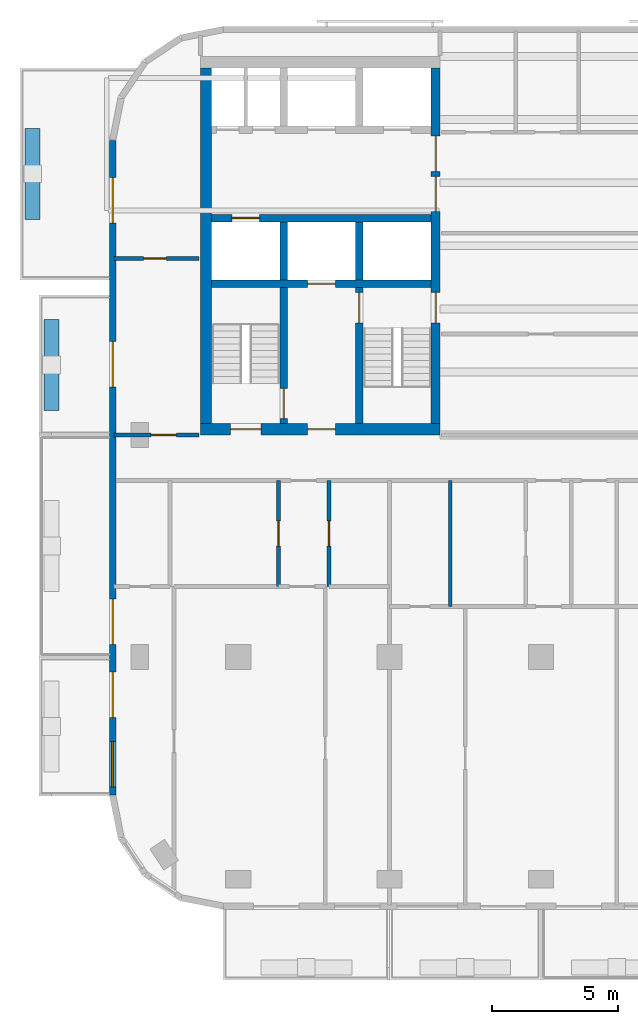
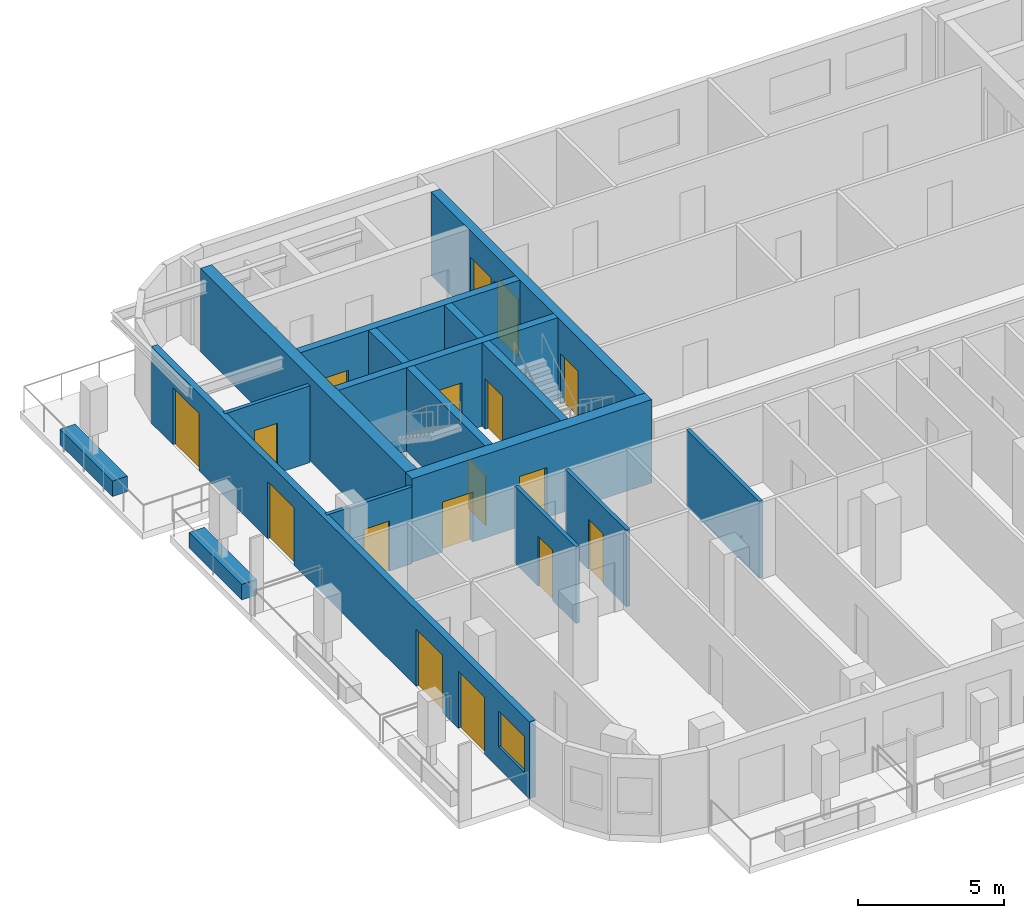
# One storey, part 3 of 11: 17 doors, 17 walls, 1 window, 18 openings.
"""IFC4 building model written with IfcOpenShell, lengths in metres."""

from ifc_helpers import new_model, si_unit, direction, frame, frame_2d, origin, place, context, subcontext, project, spatial, rectangle, extrude, material, layer, layer_set, type_object, element, fill, save


model = new_model("IFC4")

# Units and contexts
model_context = context("Model", 3, precision=1e-05, world=origin(), true_north=direction((0.0, 1.0)))
body_context = subcontext(model_context, "Body", "Model", "MODEL_VIEW")
ifc_project = project(units=[si_unit("LENGTHUNIT", "METRE"), si_unit("AREAUNIT", "SQUARE_METRE"), si_unit("VOLUMEUNIT", "CUBIC_METRE"), si_unit("PLANEANGLEUNIT", "RADIAN"), si_unit("MASSUNIT", "GRAM", prefix="KILO")], contexts=[model_context])

# Site, building, storey
site_placement = place(None, origin())
site = spatial("IfcSite", under=ifc_project, at=site_placement, CompositionType="ELEMENT")
building_placement = place(site_placement, origin())
building = spatial("IfcBuilding", under=site, at=building_placement, Name="Torana Hotel and Residences", CompositionType="ELEMENT")
storey_placement = place(building_placement, frame((0.0, 0.0, 291.10009765625)))
storey = spatial("IfcBuildingStorey", under=building, at=storey_placement, Name="L77", CompositionType="ELEMENT", Elevation=291.10009765625)

# Wall, opening, door
ifc_material_1 = material(Name="Concrete C60/75", Category="concrete")
ifc_layer_1 = layer(ifc_material_1, 0.300048828125)
ifc_layer_set_1 = layer_set([ifc_layer_1], Name="CORE WALL 300 C60/75")
wall_type_1 = type_object("IfcWallType", Name="CORE WALL 300 C60/75", PredefinedType="SHEAR", material=ifc_layer_set_1)
wall_1_placement = place(storey_placement, frame((-19.050048828125, -6.39990234375, 0.0), z_axis=(0.0, 0.0, 1.0), x_axis=(1.0, 0.0, 0.0)))
wall_1 = element("IfcWall", 1, at=wall_1_placement, inside=storey, type_object=wall_type_1, Name="Core wall W row-S", PredefinedType="SHEAR", context=body_context, shape_type="SweptSolid", body=[
    extrude(rectangle(XDim=8.699951171875, YDim=0.300048828125, at=frame_2d((4.35009765625, 0.0))), origin(), (0.0, 0.0, 1.0), 3.5),
])
opening_1_placement = place(wall_1_placement, frame((0.800048828125, 0.0, 0.0)))
opening_1 = element("IfcOpeningElement", 2, at=opening_1_placement, cuts=wall_1, Name="Opening LD", PredefinedType="OPENING", context=body_context, shape_type="SweptSolid", body=[
    extrude(rectangle(XDim=1.10009765625, YDim=2.10009765625, at=frame_2d((0.550048828125, 1.050048828125))), frame((0.0, 0.159912109375, 0.0), z_axis=(0.0, -1.0, 0.0), x_axis=(1.0, 0.0, 0.0)), (0.0, 0.0, 1.0), 0.320068359375),
])
ifc_material_2 = material(Name="Stainless steel 316", Category="steel")
door_type_1 = type_object("IfcDoorType", Name="LIFT LANDING DOOR LD 1100x2100", OperationType="DOUBLE_DOOR_SLIDING", PredefinedType="USERDEFINED", material=ifc_material_2)
door_1_placement = place(opening_1_placement, origin())
door_1 = element("IfcDoor", 3, at=door_1_placement, inside=storey, type_object=door_type_1, Name="Lift landing door SV1 L77", ObjectType="LIFT LANDING DOOR", OperationType="DOUBLE_DOOR_SLIDING", OverallHeight=2.10009765625, OverallWidth=1.10009765625, PredefinedType="USERDEFINED", context=body_context, shape_type="SweptSolid", body=[
    extrude(rectangle(XDim=1.10009765625, YDim=2.10009765625, at=frame_2d((0.550048828125, 1.050048828125))), frame((0.0, 0.02490234375, 0.0), z_axis=(0.0, -1.0, 0.0), x_axis=(1.0, 0.0, 0.0)), (0.0, 0.0, 1.0), 0.050048828125),
])
fill(opening_1, door_1)

wall_2_placement = place(storey_placement, frame((-19.050048828125, -9.0, 0.0), z_axis=(0.0, 0.0, 1.0), x_axis=(1.0, 0.0, 0.0)))
wall_2 = element("IfcWall", 4, at=wall_2_placement, inside=storey, type_object=wall_type_1, Name="Core wall W band", PredefinedType="SHEAR", context=body_context, shape_type="SweptSolid", body=[
    extrude(rectangle(XDim=8.699951171875, YDim=0.300048828125, at=frame_2d((4.35009765625, 0.0))), origin(), (0.0, 0.0, 1.0), 3.5),
])
opening_2_placement = place(wall_2_placement, frame((3.800048828125, 0.0, 0.0)))
opening_2 = element("IfcOpeningElement", 5, at=opening_2_placement, cuts=wall_2, Name="Opening LD", PredefinedType="OPENING", context=body_context, shape_type="SweptSolid", body=[
    extrude(rectangle(XDim=1.10009765625, YDim=2.10009765625, at=frame_2d((0.550048828125, 1.050048828125))), frame((0.0, 0.159912109375, 0.0), z_axis=(0.0, -1.0, 0.0), x_axis=(1.0, 0.0, 0.0)), (0.0, 0.0, 1.0), 0.320068359375),
])
door_2_placement = place(opening_2_placement, origin())
door_2 = element("IfcDoor", 6, at=door_2_placement, inside=storey, type_object=door_type_1, Name="Lift landing door FF1 L77", ObjectType="LIFT LANDING DOOR", OperationType="DOUBLE_DOOR_SLIDING", OverallHeight=2.10009765625, OverallWidth=1.10009765625, PredefinedType="USERDEFINED", context=body_context, shape_type="SweptSolid", body=[
    extrude(rectangle(XDim=1.10009765625, YDim=2.10009765625, at=frame_2d((0.550048828125, 1.050048828125))), frame((0.0, 0.02490234375, 0.0), z_axis=(0.0, -1.0, 0.0), x_axis=(1.0, 0.0, 0.0)), (0.0, 0.0, 1.0), 0.050048828125),
])
fill(opening_2, door_2)

# Wall
wall_3_placement = place(storey_placement, frame((-13.199951171875, -8.85009765625, 0.0), z_axis=(0.0, 0.0, 1.0), x_axis=(0.0, 1.0, 0.0)))
element("IfcWall", 7, at=wall_3_placement, inside=storey, type_object=wall_type_1, Name="Core wall W x3.05-S", PredefinedType="SHEAR", context=body_context, shape_type="SweptSolid", body=[
    extrude(rectangle(XDim=2.300048828125, YDim=0.300048828125, at=frame_2d((1.14990234375, 0.0))), origin(), (0.0, 0.0, 1.0), 3.5),
])

# Wall, opening, door
wall_4_placement = place(storey_placement, frame((-13.199951171875, -14.550048828125, 0.0), z_axis=(0.0, 0.0, 1.0), x_axis=(0.0, 1.0, 0.0)))
wall_4 = element("IfcWall", 8, at=wall_4_placement, inside=storey, type_object=wall_type_1, Name="Core wall W x3.05-band", PredefinedType="SHEAR", context=body_context, shape_type="SweptSolid", body=[
    extrude(rectangle(XDim=5.400146484375, YDim=0.300048828125, at=frame_2d((2.7001953125, 0.0))), origin(), (0.0, 0.0, 1.0), 3.5),
])
opening_3_placement = place(wall_4_placement, frame((4.0, 0.0, 0.0)))
opening_3 = element("IfcOpeningElement", 9, at=opening_3_placement, cuts=wall_4, Name="Opening L77-08", PredefinedType="OPENING", context=body_context, shape_type="SweptSolid", body=[
    extrude(rectangle(XDim=1.199951171875, YDim=2.10009765625, at=frame_2d((0.60009765625, 1.050048828125))), frame((0.0, 0.159912109375, 0.0), z_axis=(0.0, -1.0, 0.0), x_axis=(1.0, 0.0, 0.0)), (0.0, 0.0, 1.0), 0.320068359375),
])
ifc_material_3 = material(Name="Steel S235", Category="steel")
door_type_2 = type_object("IfcDoorType", Name="STAIR FIRE DOOR D3 1200x2100", OperationType="SINGLE_SWING_LEFT", PredefinedType="DOOR", material=ifc_material_3)
door_3_placement = place(opening_3_placement, frame((0.60009765625, 0.0, 0.0), z_axis=(0.0, 0.0, 1.0), x_axis=(-1.0, 0.0, 0.0)))
door_3 = element("IfcDoor", 10, at=door_3_placement, inside=storey, type_object=door_type_2, Name="Stair-A-lobby door L77", OperationType="SINGLE_SWING_RIGHT", OverallHeight=2.10009765625, OverallWidth=1.199951171875, PredefinedType="DOOR", context=body_context, shape_type="SweptSolid", body=[
    extrude(rectangle(XDim=1.199951171875, YDim=2.10009765625, at=frame_2d((0.0, 1.050048828125))), frame((0.0, -0.02490234375, 0.0), z_axis=(0.0, 1.0, 0.0), x_axis=(-1.0, 0.0, 0.0)), (0.0, 0.0, 1.0), 0.050048828125),
])
fill(opening_3, door_3)

# Wall
wall_5_placement = place(storey_placement, frame((-16.199951171875, -8.85009765625, 0.0), z_axis=(0.0, 0.0, 1.0), x_axis=(0.0, 1.0, 0.0)))
element("IfcWall", 11, at=wall_5_placement, inside=storey, type_object=wall_type_1, Name="Core wall W x6.05-S", PredefinedType="SHEAR", context=body_context, shape_type="SweptSolid", body=[
    extrude(rectangle(XDim=2.300048828125, YDim=0.300048828125, at=frame_2d((1.14990234375, 0.0))), origin(), (0.0, 0.0, 1.0), 3.5),
])

# Wall, opening, door
wall_6_placement = place(storey_placement, frame((-16.199951171875, -14.550048828125, 0.0), z_axis=(0.0, 0.0, 1.0), x_axis=(0.0, 1.0, 0.0)))
wall_6 = element("IfcWall", 12, at=wall_6_placement, inside=storey, type_object=wall_type_1, Name="Core wall W x6.05-band", PredefinedType="SHEAR", context=body_context, shape_type="SweptSolid", body=[
    extrude(rectangle(XDim=5.400146484375, YDim=0.300048828125, at=frame_2d((2.7001953125, 0.0))), origin(), (0.0, 0.0, 1.0), 3.5),
])
opening_4_placement = place(wall_6_placement, frame((0.199951171875, 0.0, 0.0)))
opening_4 = element("IfcOpeningElement", 13, at=opening_4_placement, cuts=wall_6, Name="Opening L77-09", PredefinedType="OPENING", context=body_context, shape_type="SweptSolid", body=[
    extrude(rectangle(XDim=1.199951171875, YDim=2.10009765625, at=frame_2d((0.60009765625, 1.050048828125))), frame((0.0, 0.159912109375, 0.0), z_axis=(0.0, -1.0, 0.0), x_axis=(1.0, 0.0, 0.0)), (0.0, 0.0, 1.0), 0.320068359375),
])
door_4_placement = place(opening_4_placement, origin())
door_4 = element("IfcDoor", 14, at=door_4_placement, inside=storey, type_object=door_type_2, Name="Stair-B-lobby door L77", OperationType="SINGLE_SWING_RIGHT", OverallHeight=2.10009765625, OverallWidth=1.199951171875, PredefinedType="DOOR", context=body_context, shape_type="SweptSolid", body=[
    extrude(rectangle(XDim=1.199951171875, YDim=2.10009765625, at=frame_2d((0.60009765625, 1.050048828125))), frame((0.0, 0.02490234375, 0.0), z_axis=(0.0, -1.0, 0.0), x_axis=(1.0, 0.0, 0.0)), (0.0, 0.0, 1.0), 0.050048828125),
])
fill(opening_4, door_4)

# Wall, openings, doors
ifc_material_4 = material(Name="Concrete C60/75", Category="concrete")
ifc_layer_2 = layer(ifc_material_4, 0.35009765625)
ifc_layer_set_2 = layer_set([ifc_layer_2], Name="CORE WALL 350 C60/75")
wall_type_2 = type_object("IfcWallType", Name="CORE WALL 350 C60/75", PredefinedType="SHEAR", material=ifc_layer_set_2)
wall_7_placement = place(storey_placement, frame((-10.175048828125, -14.550048828125, 0.0), z_axis=(0.0, 0.0, 1.0), x_axis=(0.0, 1.0, 0.0)))
wall_7 = element("IfcWall", 15, at=wall_7_placement, inside=storey, type_object=wall_type_2, Name="Core wall W arch", PredefinedType="SHEAR", context=body_context, shape_type="SweptSolid", body=[
    extrude(rectangle(XDim=14.10009765625, YDim=0.35009765625, at=frame_2d((7.050048828125, 0.0))), origin(), (0.0, 0.0, 1.0), 3.5),
])
opening_5_placement = place(wall_7_placement, frame((8.39990234375, 0.0, 0.0)))
opening_5 = element("IfcOpeningElement", 16, at=opening_5_placement, cuts=wall_7, Name="Opening L77-01", PredefinedType="OPENING", context=body_context, shape_type="SweptSolid", body=[
    extrude(rectangle(XDim=1.39990234375, YDim=2.39990234375, at=frame_2d((0.699951171875, 1.199951171875))), frame((0.0, 0.18505859375, 0.0), z_axis=(0.0, -1.0, 0.0), x_axis=(1.0, 0.0, 0.0)), (0.0, 0.0, 1.0), 0.3701171875),
])
opening_6_placement = place(wall_7_placement, frame((10.0, 0.0, 0.0)))
opening_6 = element("IfcOpeningElement", 17, at=opening_6_placement, cuts=wall_7, Name="Opening L77-02", PredefinedType="OPENING", context=body_context, shape_type="SweptSolid", body=[
    extrude(rectangle(XDim=1.39990234375, YDim=2.39990234375, at=frame_2d((0.699951171875, 1.199951171875))), frame((0.0, 0.18505859375, 0.0), z_axis=(0.0, -1.0, 0.0), x_axis=(1.0, 0.0, 0.0)), (0.0, 0.0, 1.0), 0.3701171875),
])
opening_7_placement = place(wall_7_placement, frame((4.0, 0.0, 0.0)))
opening_7 = element("IfcOpeningElement", 18, at=opening_7_placement, cuts=wall_7, Name="Opening L77-03", PredefinedType="OPENING", context=body_context, shape_type="SweptSolid", body=[
    extrude(rectangle(XDim=1.199951171875, YDim=2.10009765625, at=frame_2d((0.60009765625, 1.050048828125))), frame((0.0, 0.18505859375, 0.0), z_axis=(0.0, -1.0, 0.0), x_axis=(1.0, 0.0, 0.0)), (0.0, 0.0, 1.0), 0.3701171875),
])
ifc_material_5 = material(Name="Steel S235", Category="steel")
door_type_3 = type_object("IfcDoorType", Name="LOBBY FIRE DOOR D4 1400x2400", OperationType="DOUBLE_DOOR_SINGLE_SWING", PredefinedType="DOOR", material=ifc_material_5)
door_5_placement = place(opening_5_placement, origin())
door_5 = element("IfcDoor", 19, at=door_5_placement, inside=storey, type_object=door_type_3, Name="Lobby-1 door L77", OperationType="DOUBLE_DOOR_SINGLE_SWING", OverallHeight=2.39990234375, OverallWidth=1.39990234375, PredefinedType="DOOR", context=body_context, shape_type="SweptSolid", body=[
    extrude(rectangle(XDim=1.39990234375, YDim=2.39990234375, at=frame_2d((0.699951171875, 1.199951171875))), frame((0.0, 0.02490234375, 0.0), z_axis=(0.0, -1.0, 0.0), x_axis=(1.0, 0.0, 0.0)), (0.0, 0.0, 1.0), 0.050048828125),
])
fill(opening_5, door_5)
door_6_placement = place(opening_6_placement, origin())
door_6 = element("IfcDoor", 20, at=door_6_placement, inside=storey, type_object=door_type_3, Name="Lobby-2 door L77", OperationType="DOUBLE_DOOR_SINGLE_SWING", OverallHeight=2.39990234375, OverallWidth=1.39990234375, PredefinedType="DOOR", context=body_context, shape_type="SweptSolid", body=[
    extrude(rectangle(XDim=1.39990234375, YDim=2.39990234375, at=frame_2d((0.699951171875, 1.199951171875))), frame((0.0, 0.02490234375, 0.0), z_axis=(0.0, -1.0, 0.0), x_axis=(1.0, 0.0, 0.0)), (0.0, 0.0, 1.0), 0.050048828125),
])
fill(opening_6, door_6)
door_7_placement = place(opening_7_placement, origin())
door_7 = element("IfcDoor", 21, at=door_7_placement, inside=storey, type_object=door_type_2, Name="Stair-A door L77", OperationType="SINGLE_SWING_LEFT", OverallHeight=2.10009765625, OverallWidth=1.199951171875, PredefinedType="DOOR", context=body_context, shape_type="SweptSolid", body=[
    extrude(rectangle(XDim=1.199951171875, YDim=2.10009765625, at=frame_2d((0.60009765625, 1.050048828125))), frame((0.0, 0.02490234375, 0.0), z_axis=(0.0, -1.0, 0.0), x_axis=(1.0, 0.0, 0.0)), (0.0, 0.0, 1.0), 0.050048828125),
])
fill(opening_7, door_7)

ifc_material_6 = material(Name="Concrete C60/75", Category="concrete")
ifc_layer_3 = layer(ifc_material_6, 0.449951171875)
ifc_layer_set_3 = layer_set([ifc_layer_3], Name="CORE WALL 450 C60/75")
wall_type_3 = type_object("IfcWallType", Name="CORE WALL 450 C60/75", PredefinedType="SHEAR", material=ifc_layer_set_3)
wall_8_placement = place(storey_placement, frame((-19.5, -14.77490234375, 0.0), z_axis=(0.0, 0.0, 1.0), x_axis=(1.0, 0.0, 0.0)))
wall_8 = element("IfcWall", 22, at=wall_8_placement, inside=storey, type_object=wall_type_3, Name="Core wall W front", PredefinedType="SHEAR", context=body_context, shape_type="SweptSolid", body=[
    extrude(rectangle(XDim=9.5, YDim=0.449951171875, at=frame_2d((4.75, 0.0))), origin(), (0.0, 0.0, 1.0), 3.5),
])
opening_8_placement = place(wall_8_placement, frame((1.199951171875, 0.0, 0.0)))
opening_8 = element("IfcOpeningElement", 23, at=opening_8_placement, cuts=wall_8, Name="Opening L77-04", PredefinedType="OPENING", context=body_context, shape_type="SweptSolid", body=[
    extrude(rectangle(XDim=1.199951171875, YDim=2.10009765625, at=frame_2d((0.60009765625, 1.050048828125))), frame((0.0, 0.23486328125, 0.0), z_axis=(0.0, -1.0, 0.0), x_axis=(1.0, 0.0, 0.0)), (0.0, 0.0, 1.0), 0.469970703125),
])
opening_9_placement = place(wall_8_placement, frame((4.25, 0.0, 0.0)))
opening_9 = element("IfcOpeningElement", 24, at=opening_9_placement, cuts=wall_8, Name="Opening L77-05", PredefinedType="OPENING", context=body_context, shape_type="SweptSolid", body=[
    extrude(rectangle(XDim=1.10009765625, YDim=2.10009765625, at=frame_2d((0.550048828125, 1.050048828125))), frame((0.0, 0.23486328125, 0.0), z_axis=(0.0, -1.0, 0.0), x_axis=(1.0, 0.0, 0.0)), (0.0, 0.0, 1.0), 0.469970703125),
])
ifc_material_7 = material(Name="Steel S235", Category="steel")
door_type_4 = type_object("IfcDoorType", Name="FIRE-FIGHTING LOBBY DOOR D8 1100x2100", OperationType="SINGLE_SWING_LEFT", PredefinedType="DOOR", material=ifc_material_7)
door_8_placement = place(opening_9_placement, origin())
door_8 = element("IfcDoor", 25, at=door_8_placement, inside=storey, type_object=door_type_4, Name="FF-lobby door L77", OperationType="SINGLE_SWING_RIGHT", OverallHeight=2.10009765625, OverallWidth=1.10009765625, PredefinedType="DOOR", context=body_context, shape_type="SweptSolid", body=[
    extrude(rectangle(XDim=1.10009765625, YDim=2.10009765625, at=frame_2d((0.550048828125, 1.050048828125))), frame((0.0, 0.02490234375, 0.0), z_axis=(0.0, -1.0, 0.0), x_axis=(1.0, 0.0, 0.0)), (0.0, 0.0, 1.0), 0.050048828125),
])
fill(opening_9, door_8)
door_9_placement = place(opening_8_placement, origin())
door_9 = element("IfcDoor", 26, at=door_9_placement, inside=storey, type_object=door_type_2, Name="Stair-B door L77", OperationType="SINGLE_SWING_RIGHT", OverallHeight=2.10009765625, OverallWidth=1.199951171875, PredefinedType="DOOR", context=body_context, shape_type="SweptSolid", body=[
    extrude(rectangle(XDim=1.199951171875, YDim=2.10009765625, at=frame_2d((0.60009765625, 1.050048828125))), frame((0.0, 0.02490234375, 0.0), z_axis=(0.0, -1.0, 0.0), x_axis=(1.0, 0.0, 0.0)), (0.0, 0.0, 1.0), 0.050048828125),
])
fill(opening_8, door_9)

# Wall
wall_9_placement = place(storey_placement, frame((-19.27490234375, -14.550048828125, 0.0), z_axis=(0.0, 0.0, 1.0), x_axis=(0.0, 1.0, 0.0)))
element("IfcWall", 27, at=wall_9_placement, inside=storey, type_object=wall_type_3, Name="Core wall W outer", PredefinedType="SHEAR", context=body_context, shape_type="SweptSolid", body=[
    extrude(rectangle(XDim=14.10009765625, YDim=0.449951171875, at=frame_2d((7.050048828125, 0.0))), origin(), (0.0, 0.0, 1.0), 3.5),
])

# Wall, openings, doors, window
ifc_material_8 = material(Name="Black aluminium composite panel", Category="aluminium")
ifc_layer_4 = layer(ifc_material_8, 0.00390625, Name="Cladding", Category="cladding")
ifc_material_9 = material(Name="Ventilated air cavity")
ifc_layer_5 = layer(ifc_material_9, 0.0400390625, Name="Ventilated cavity", Category="cavity")
ifc_material_10 = material(Name="Mineral wool insulation")
ifc_layer_6 = layer(ifc_material_10, 0.090087890625, Name="Insulation", Category="insulation")
ifc_material_11 = material(Name="Steel S280GD", Category="steel")
ifc_layer_7 = layer(ifc_material_11, 0.092041015625, Name="Steel stud frame", Category="structure")
ifc_material_12 = material(Name="Fire rated plasterboard")
ifc_layer_8 = layer(ifc_material_12, 0.011962890625, Name="Inner board", Category="finish")
ifc_layer_9 = layer(ifc_material_12, 0.011962890625, Name="Second board", Category="finish")
ifc_layer_set_4 = layer_set([ifc_layer_4, ifc_layer_5, ifc_layer_6, ifc_layer_7, ifc_layer_8, ifc_layer_9], Name="EW1 EXTERNAL WALL BLACK METAL CLAD 250")
wall_type_4 = type_object("IfcWallType", Name="EW1 EXTERNAL WALL BLACK METAL CLAD 250", PredefinedType="SOLIDWALL", material=ifc_layer_set_4)
wall_10_placement = place(storey_placement, frame((-22.97509765625, -3.32470703125, 0.0), z_axis=(0.0, 0.0, 1.0), x_axis=(0.0, -1.0, 0.0)))
wall_10 = element("IfcWall", 28, at=wall_10_placement, inside=storey, type_object=wall_type_4, Name="External wall L77 e0.9", PredefinedType="SOLIDWALL", context=body_context, shape_type="SweptSolid", body=[
    extrude(rectangle(XDim=25.95068359375, YDim=0.25, at=frame_2d((12.975341796875, 0.0))), origin(), (0.0, 0.0, 1.0), 3.219970703125),
])
opening_10_placement = place(wall_10_placement, frame((1.475341796875, 0.0, 0.0)))
opening_10 = element("IfcOpeningElement", 29, at=opening_10_placement, cuts=wall_10, Name="Opening L77-E11", PredefinedType="OPENING", context=body_context, shape_type="SweptSolid", body=[
    extrude(rectangle(XDim=1.800048828125, YDim=2.39990234375, at=frame_2d((0.89990234375, 1.199951171875))), frame((0.0, 0.135009765625, 0.0), z_axis=(0.0, -1.0, 0.0), x_axis=(1.0, 0.0, 0.0)), (0.0, 0.0, 1.0), 0.27001953125),
])
opening_11_placement = place(wall_10_placement, frame((7.975341796875, 0.0, 0.0)))
opening_11 = element("IfcOpeningElement", 30, at=opening_11_placement, cuts=wall_10, Name="Opening L77-E12", PredefinedType="OPENING", context=body_context, shape_type="SweptSolid", body=[
    extrude(rectangle(XDim=1.800048828125, YDim=2.39990234375, at=frame_2d((0.89990234375, 1.199951171875))), frame((0.0, 0.135009765625, 0.0), z_axis=(0.0, -1.0, 0.0), x_axis=(1.0, 0.0, 0.0)), (0.0, 0.0, 1.0), 0.27001953125),
])
opening_12_placement = place(wall_10_placement, frame((18.17529296875, 0.0, 0.0)))
opening_12 = element("IfcOpeningElement", 31, at=opening_12_placement, cuts=wall_10, Name="Opening L77-E13", PredefinedType="OPENING", context=body_context, shape_type="SweptSolid", body=[
    extrude(rectangle(XDim=1.800048828125, YDim=2.39990234375, at=frame_2d((0.89990234375, 1.199951171875))), frame((0.0, 0.135009765625, 0.0), z_axis=(0.0, -1.0, 0.0), x_axis=(1.0, 0.0, 0.0)), (0.0, 0.0, 1.0), 0.27001953125),
])
opening_13_placement = place(wall_10_placement, frame((21.075439453125, 0.0, 0.0)))
opening_13 = element("IfcOpeningElement", 32, at=opening_13_placement, cuts=wall_10, Name="Opening L77-E14", PredefinedType="OPENING", context=body_context, shape_type="SweptSolid", body=[
    extrude(rectangle(XDim=1.800048828125, YDim=2.39990234375, at=frame_2d((0.89990234375, 1.199951171875))), frame((0.0, 0.135009765625, 0.0), z_axis=(0.0, -1.0, 0.0), x_axis=(1.0, 0.0, 0.0)), (0.0, 0.0, 1.0), 0.27001953125),
])
opening_14_placement = place(wall_10_placement, frame((23.825439453125, 0.0, 0.89990234375)))
opening_14 = element("IfcOpeningElement", 33, at=opening_14_placement, cuts=wall_10, Name="Opening W4", PredefinedType="OPENING", context=body_context, shape_type="SweptSolid", body=[
    extrude(rectangle(XDim=1.800048828125, YDim=1.5, at=frame_2d((0.89990234375, 0.75))), frame((0.0, 0.135009765625, 0.0), z_axis=(0.0, -1.0, 0.0), x_axis=(1.0, 0.0, 0.0)), (0.0, 0.0, 1.0), 0.27001953125),
])
ifc_material_13 = material(Name="Dark glass in black aluminium frame", Category="aluminium")
door_type_5 = type_object("IfcDoorType", Name="DB1 BALCONY DOOR 1800x2400", OperationType="DOUBLE_DOOR_SINGLE_SWING", PredefinedType="DOOR", material=ifc_material_13)
door_10_placement = place(opening_10_placement, origin())
door_10 = element("IfcDoor", 34, at=door_10_placement, inside=storey, type_object=door_type_5, Name="Balcony door L77", OperationType="DOUBLE_DOOR_SINGLE_SWING", OverallHeight=2.39990234375, OverallWidth=1.800048828125, PredefinedType="DOOR", context=body_context, shape_type="SweptSolid", body=[
    extrude(rectangle(XDim=1.800048828125, YDim=2.39990234375, at=frame_2d((0.89990234375, 1.199951171875))), frame((0.0, 0.02490234375, 0.0), z_axis=(0.0, -1.0, 0.0), x_axis=(1.0, 0.0, 0.0)), (0.0, 0.0, 1.0), 0.050048828125),
])
fill(opening_10, door_10)
door_11_placement = place(opening_11_placement, origin())
door_11 = element("IfcDoor", 35, at=door_11_placement, inside=storey, type_object=door_type_5, Name="Balcony door L77", OperationType="DOUBLE_DOOR_SINGLE_SWING", OverallHeight=2.39990234375, OverallWidth=1.800048828125, PredefinedType="DOOR", context=body_context, shape_type="SweptSolid", body=[
    extrude(rectangle(XDim=1.800048828125, YDim=2.39990234375, at=frame_2d((0.89990234375, 1.199951171875))), frame((0.0, 0.02490234375, 0.0), z_axis=(0.0, -1.0, 0.0), x_axis=(1.0, 0.0, 0.0)), (0.0, 0.0, 1.0), 0.050048828125),
])
fill(opening_11, door_11)
door_12_placement = place(opening_12_placement, origin())
door_12 = element("IfcDoor", 36, at=door_12_placement, inside=storey, type_object=door_type_5, Name="Balcony door L77", OperationType="DOUBLE_DOOR_SINGLE_SWING", OverallHeight=2.39990234375, OverallWidth=1.800048828125, PredefinedType="DOOR", context=body_context, shape_type="SweptSolid", body=[
    extrude(rectangle(XDim=1.800048828125, YDim=2.39990234375, at=frame_2d((0.89990234375, 1.199951171875))), frame((0.0, 0.02490234375, 0.0), z_axis=(0.0, -1.0, 0.0), x_axis=(1.0, 0.0, 0.0)), (0.0, 0.0, 1.0), 0.050048828125),
])
fill(opening_12, door_12)
door_13_placement = place(opening_13_placement, origin())
door_13 = element("IfcDoor", 37, at=door_13_placement, inside=storey, type_object=door_type_5, Name="Balcony door L77", OperationType="DOUBLE_DOOR_SINGLE_SWING", OverallHeight=2.39990234375, OverallWidth=1.800048828125, PredefinedType="DOOR", context=body_context, shape_type="SweptSolid", body=[
    extrude(rectangle(XDim=1.800048828125, YDim=2.39990234375, at=frame_2d((0.89990234375, 1.199951171875))), frame((0.0, 0.02490234375, 0.0), z_axis=(0.0, -1.0, 0.0), x_axis=(1.0, 0.0, 0.0)), (0.0, 0.0, 1.0), 0.050048828125),
])
fill(opening_13, door_13)
ifc_material_14 = material(Name="Dark glass in black aluminium frame", Category="aluminium")
window_type = type_object("IfcWindowType", Name="W4 RESIDENCE WINDOW NARROW 1800x1500", PartitioningType="SINGLE_PANEL", PredefinedType="WINDOW", material=ifc_material_14)
window_placement = place(opening_14_placement, origin())
window = element("IfcWindow", 38, at=window_placement, inside=storey, type_object=window_type, Name="Window L77", OverallHeight=1.5, OverallWidth=1.800048828125, PartitioningType="SINGLE_PANEL", PredefinedType="WINDOW", context=body_context, shape_type="SweptSolid", body=[
    extrude(rectangle(XDim=1.800048828125, YDim=1.5, at=frame_2d((0.89990234375, 0.75))), frame((0.0, 0.030029296875, 0.0), z_axis=(0.0, -1.0, 0.0), x_axis=(1.0, 0.0, 0.0)), (0.0, 0.0, 1.0), 0.06005859375),
])
fill(opening_14, window)

# Wall, opening, door
ifc_material_15 = material(Name="Gypsum plaster")
ifc_layer_10 = layer(ifc_material_15, 0.014892578125, Name="Plaster", Category="finish")
ifc_material_16 = material(Name="Concrete blockwork", Category="masonry")
ifc_layer_11 = layer(ifc_material_16, 0.1201171875, Name="Blockwork", Category="structure")
ifc_layer_12 = layer(ifc_material_15, 0.014892578125, Name="Plaster", Category="finish")
ifc_layer_set_5 = layer_set([ifc_layer_10, ifc_layer_11, ifc_layer_12], Name="FIRE PARTITION 150 BLOCKWORK")
wall_type_5 = type_object("IfcWallType", Name="FIRE PARTITION 150 BLOCKWORK", PredefinedType="PARTITIONING", material=ifc_layer_set_5)
wall_11_placement = place(storey_placement, frame((-14.39990234375, -21.0, 0.0), z_axis=(0.0, 0.0, 1.0), x_axis=(0.0, 1.0, 0.0)))
wall_11 = element("IfcWall", 39, at=wall_11_placement, inside=storey, type_object=wall_type_5, Name="Partition L77", PredefinedType="PARTITIONING", context=body_context, shape_type="SweptSolid", body=[
    extrude(rectangle(XDim=4.199951171875, YDim=0.14990234375, at=frame_2d((2.10009765625, 0.0))), origin(), (0.0, 0.0, 1.0), 3.219970703125),
])
opening_15_placement = place(wall_11_placement, frame((1.60009765625, 0.0, 0.0)))
opening_15 = element("IfcOpeningElement", 40, at=opening_15_placement, cuts=wall_11, Name="Opening L77-45", PredefinedType="OPENING", context=body_context, shape_type="SweptSolid", body=[
    extrude(rectangle(XDim=1.0, YDim=2.10009765625, at=frame_2d((0.5, 1.050048828125))), frame((0.0, 0.0849609375, 0.0), z_axis=(0.0, -1.0, 0.0), x_axis=(1.0, 0.0, 0.0)), (0.0, 0.0, 1.0), 0.169921875),
])
ifc_material_17 = material(Name="Steel S235", Category="steel")
door_type_6 = type_object("IfcDoorType", Name="ENTRY FIRE DOOR D6 1000x2100", OperationType="SINGLE_SWING_LEFT", PredefinedType="DOOR", material=ifc_material_17)
door_14_placement = place(opening_15_placement, frame((0.5, 0.0, 0.0), z_axis=(0.0, 0.0, 1.0), x_axis=(-1.0, 0.0, 0.0)))
door_14 = element("IfcDoor", 41, at=door_14_placement, inside=storey, type_object=door_type_6, Name="Door L77", OperationType="SINGLE_SWING_LEFT", OverallHeight=2.10009765625, OverallWidth=1.0, PredefinedType="DOOR", context=body_context, shape_type="SweptSolid", body=[
    extrude(rectangle(XDim=1.0, YDim=2.10009765625, at=frame_2d((0.0, 1.050048828125))), frame((0.0, -0.02490234375, 0.0), z_axis=(0.0, 1.0, 0.0), x_axis=(-1.0, 0.0, 0.0)), (0.0, 0.0, 1.0), 0.050048828125),
])
fill(opening_15, door_14)

wall_12_placement = place(storey_placement, frame((-16.39990234375, -21.0, 0.0), z_axis=(0.0, 0.0, 1.0), x_axis=(0.0, 1.0, 0.0)))
wall_12 = element("IfcWall", 42, at=wall_12_placement, inside=storey, type_object=wall_type_5, Name="Partition L77", PredefinedType="PARTITIONING", context=body_context, shape_type="SweptSolid", body=[
    extrude(rectangle(XDim=4.199951171875, YDim=0.14990234375, at=frame_2d((2.10009765625, 0.0))), origin(), (0.0, 0.0, 1.0), 3.219970703125),
])
opening_16_placement = place(wall_12_placement, frame((1.60009765625, 0.0, 0.0)))
opening_16 = element("IfcOpeningElement", 43, at=opening_16_placement, cuts=wall_12, Name="Opening L77-46", PredefinedType="OPENING", context=body_context, shape_type="SweptSolid", body=[
    extrude(rectangle(XDim=1.0, YDim=2.10009765625, at=frame_2d((0.5, 1.050048828125))), frame((0.0, 0.0849609375, 0.0), z_axis=(0.0, -1.0, 0.0), x_axis=(1.0, 0.0, 0.0)), (0.0, 0.0, 1.0), 0.169921875),
])
door_15_placement = place(opening_16_placement, origin())
door_15 = element("IfcDoor", 44, at=door_15_placement, inside=storey, type_object=door_type_6, Name="Door L77", OperationType="SINGLE_SWING_RIGHT", OverallHeight=2.10009765625, OverallWidth=1.0, PredefinedType="DOOR", context=body_context, shape_type="SweptSolid", body=[
    extrude(rectangle(XDim=1.0, YDim=2.10009765625, at=frame_2d((0.5, 1.050048828125))), frame((0.0, 0.02490234375, 0.0), z_axis=(0.0, -1.0, 0.0), x_axis=(1.0, 0.0, 0.0)), (0.0, 0.0, 1.0), 0.050048828125),
])
fill(opening_16, door_15)

wall_13_placement = place(storey_placement, frame((-22.919921875, -15.0, 0.0), z_axis=(0.0, 0.0, 1.0), x_axis=(1.0, 0.0, 0.0)))
wall_13 = element("IfcWall", 45, at=wall_13_placement, inside=storey, type_object=wall_type_5, Name="Partition L77", PredefinedType="PARTITIONING", context=body_context, shape_type="SweptSolid", body=[
    extrude(rectangle(XDim=3.369873046875, YDim=0.14990234375, at=frame_2d((1.68505859375, 0.0))), origin(), (0.0, 0.0, 1.0), 3.219970703125),
])
opening_17_placement = place(wall_13_placement, frame((1.469970703125, 0.0, 0.0)))
opening_17 = element("IfcOpeningElement", 46, at=opening_17_placement, cuts=wall_13, Name="Opening L77-28", PredefinedType="OPENING", context=body_context, shape_type="SweptSolid", body=[
    extrude(rectangle(XDim=1.0, YDim=2.10009765625, at=frame_2d((0.5, 1.050048828125))), frame((0.0, 0.0849609375, 0.0), z_axis=(0.0, -1.0, 0.0), x_axis=(1.0, 0.0, 0.0)), (0.0, 0.0, 1.0), 0.169921875),
])
ifc_material_18 = material(Name="Steel S235", Category="steel")
door_type_7 = type_object("IfcDoorType", Name="CORE ROOM FIRE DOOR D14 1000x2100", OperationType="SINGLE_SWING_LEFT", PredefinedType="DOOR", material=ifc_material_18)
door_16_placement = place(opening_17_placement, origin())
door_16 = element("IfcDoor", 47, at=door_16_placement, inside=storey, type_object=door_type_7, Name="Door L77", OperationType="SINGLE_SWING_RIGHT", OverallHeight=2.10009765625, OverallWidth=1.0, PredefinedType="DOOR", context=body_context, shape_type="SweptSolid", body=[
    extrude(rectangle(XDim=1.0, YDim=2.10009765625, at=frame_2d((0.5, 1.050048828125))), frame((0.0, 0.02490234375, 0.0), z_axis=(0.0, -1.0, 0.0), x_axis=(1.0, 0.0, 0.0)), (0.0, 0.0, 1.0), 0.050048828125),
])
fill(opening_17, door_16)

# Walls
ifc_material_19 = material(Name="Gypsum plasterboard")
ifc_layer_13 = layer(ifc_material_19, 0.012451171875, Name="Plasterboard", Category="finish")
ifc_layer_14 = layer(ifc_material_19, 0.012451171875, Name="Plasterboard", Category="finish")
ifc_layer_15 = layer(ifc_material_11, 0.10009765625, Name="Steel studs with mineral wool", Category="insulation")
ifc_layer_16 = layer(ifc_material_19, 0.012451171875, Name="Plasterboard", Category="finish")
ifc_layer_17 = layer(ifc_material_19, 0.012451171875, Name="Plasterboard", Category="finish")
ifc_layer_set_6 = layer_set([ifc_layer_13, ifc_layer_14, ifc_layer_15, ifc_layer_16, ifc_layer_17], Name="PARTITION 150 PLASTERBOARD")
wall_type_6 = type_object("IfcWallType", Name="PARTITION 150 PLASTERBOARD", PredefinedType="PARTITIONING", material=ifc_layer_set_6)
wall_14_placement = place(storey_placement, frame((-9.60009765625, -21.800048828125, 0.0), z_axis=(0.0, 0.0, 1.0), x_axis=(0.0, 1.0, 0.0)))
element("IfcWall", 48, at=wall_14_placement, inside=storey, type_object=wall_type_6, Name="Partition L77", PredefinedType="PARTITIONING", context=body_context, shape_type="SweptSolid", body=[
    extrude(rectangle(XDim=5.0, YDim=0.14990234375, at=frame_2d((2.5, 0.0))), origin(), (0.0, 0.0, 1.0), 3.219970703125),
])
ifc_material_20 = material(Name="Concrete C40/50 precast", Category="concrete")
ifc_layer_18 = layer(ifc_material_20, 0.10009765625, Name="Planter shell", Category="structure")
ifc_material_21 = material(Name="Root resistant membrane")
ifc_layer_19 = layer(ifc_material_21, 0.00390625, Name="Waterproofing membrane", Category="membrane")
ifc_material_22 = material(Name="Drainage board with filter fleece")
ifc_layer_20 = layer(ifc_material_22, 0.02001953125, Name="Drainage board", Category="drainage")
ifc_material_23 = material(Name="Growing medium")
ifc_layer_21 = layer(ifc_material_23, 0.47607421875, Name="Planting substrate", Category="soil")
ifc_layer_set_7 = layer_set([ifc_layer_18, ifc_layer_19, ifc_layer_20, ifc_layer_21], Name="PL1 BALCONY PLANTER 600")
wall_type_7 = type_object("IfcWallType", Name="PL1 BALCONY PLANTER 600", PredefinedType="USERDEFINED", material=ifc_layer_set_7)
for number, where, z_axis, x_axis, name in (
    (49, (-25.39990234375, -14.02490234375, 0.0), (0.0, 0.0, 1.0), (0.0, 1.0, 0.0), "Planter 09"),
    (50, (-26.14990234375, -6.449951171875, 0.0), (0.0, 0.0, 1.0), (0.0, 1.0, 0.0), "Planter 10"),
):
    element("IfcWall", number, at=place(storey_placement, frame(where, z_axis=z_axis, x_axis=x_axis)), inside=storey, type_object=wall_type_7, Name=name, ObjectType="PLANTER", PredefinedType="USERDEFINED", context=body_context, shape_type="SweptSolid", body=[
        extrude(rectangle(XDim=3.599853515625, YDim=0.60009765625, at=frame_2d((1.7998046875, 0.0))), origin(), (0.0, 0.0, 1.0), 0.64990234375),
    ])

# Wall, opening, door
ifc_material_24 = material(Name="Ceramic tile on adhesive")
ifc_layer_22 = layer(ifc_material_24, 0.010009765625, Name="Wall tile", Category="finish")
ifc_material_25 = material(Name="Cement render")
ifc_layer_23 = layer(ifc_material_25, 0.010009765625, Name="Render", Category="finish")
ifc_layer_24 = layer(ifc_material_16, 0.110107421875, Name="Blockwork", Category="structure")
ifc_layer_25 = layer(ifc_material_25, 0.010009765625, Name="Render", Category="finish")
ifc_layer_26 = layer(ifc_material_24, 0.010009765625, Name="Wall tile", Category="finish")
ifc_layer_set_8 = layer_set([ifc_layer_22, ifc_layer_23, ifc_layer_24, ifc_layer_25, ifc_layer_26], Name="WC PARTITION 150")
wall_type_8 = type_object("IfcWallType", Name="WC PARTITION 150", PredefinedType="PLUMBINGWALL", material=ifc_layer_set_8)
wall_15_placement = place(storey_placement, frame((-22.919921875, -8.0, 0.0), z_axis=(0.0, 0.0, 1.0), x_axis=(1.0, 0.0, 0.0)))
wall_15 = element("IfcWall", 51, at=wall_15_placement, inside=storey, type_object=wall_type_8, Name="Partition L77", PredefinedType="PLUMBINGWALL", context=body_context, shape_type="SweptSolid", body=[
    extrude(rectangle(XDim=3.369873046875, YDim=0.14990234375, at=frame_2d((1.68505859375, 0.0))), origin(), (0.0, 0.0, 1.0), 3.219970703125),
])
opening_18_placement = place(wall_15_placement, frame((1.169921875, 0.0, 0.0)))
opening_18 = element("IfcOpeningElement", 52, at=opening_18_placement, cuts=wall_15, Name="Opening L77-59", PredefinedType="OPENING", context=body_context, shape_type="SweptSolid", body=[
    extrude(rectangle(XDim=0.89990234375, YDim=2.10009765625, at=frame_2d((0.449951171875, 1.050048828125))), frame((0.0, 0.0849609375, 0.0), z_axis=(0.0, -1.0, 0.0), x_axis=(1.0, 0.0, 0.0)), (0.0, 0.0, 1.0), 0.169921875),
])
ifc_material_26 = material(Name="Timber door, oiled ash", Category="wood")
door_type_8 = type_object("IfcDoorType", Name="ROOM DOOR D7 900x2100", OperationType="SINGLE_SWING_LEFT", PredefinedType="DOOR", material=ifc_material_26)
door_17_placement = place(opening_18_placement, origin())
door_17 = element("IfcDoor", 53, at=door_17_placement, inside=storey, type_object=door_type_8, Name="Door L77", OperationType="SINGLE_SWING_RIGHT", OverallHeight=2.10009765625, OverallWidth=0.89990234375, PredefinedType="DOOR", context=body_context, shape_type="SweptSolid", body=[
    extrude(rectangle(XDim=0.89990234375, YDim=2.10009765625, at=frame_2d((0.449951171875, 1.050048828125))), frame((0.0, 0.02490234375, 0.0), z_axis=(0.0, -1.0, 0.0), x_axis=(1.0, 0.0, 0.0)), (0.0, 0.0, 1.0), 0.050048828125),
])
fill(opening_18, door_17)

save(model, "model.ifc")
